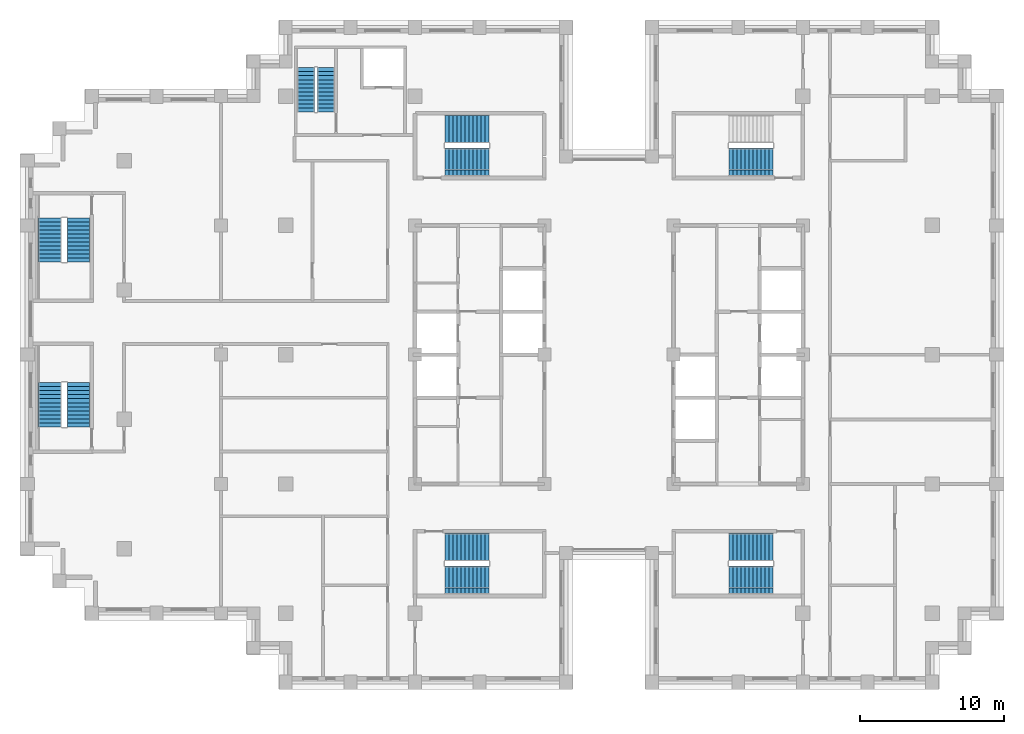
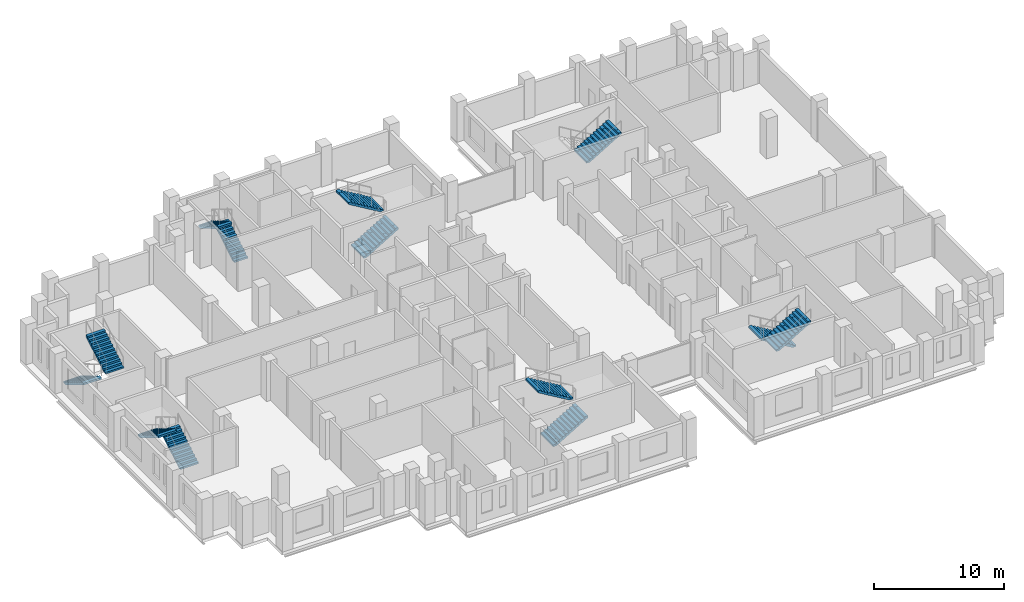
# One storey, part 12 of 15: 13 stair flights, 7 elements without a shape of their own.
"""IFC4 building model written with IfcOpenShell, lengths in metres."""

from ifc_helpers import new_model, si_unit, direction, frame, origin, place, context, subcontext, project, spatial, polyline, outline, extrude, material, type_object, element, aggregate, save


model = new_model("IFC4")

# Units and contexts
model_context = context("Model", 3, precision=1e-05, world=origin(), true_north=direction((0.0, 1.0)))
body_context = subcontext(model_context, "Body", "Model", "MODEL_VIEW")
ifc_project = project(units=[si_unit("LENGTHUNIT", "METRE"), si_unit("AREAUNIT", "SQUARE_METRE"), si_unit("VOLUMEUNIT", "CUBIC_METRE"), si_unit("PLANEANGLEUNIT", "RADIAN"), si_unit("MASSUNIT", "GRAM", prefix="KILO")], contexts=[model_context])

# Site, building, storey
site_placement = place(None, origin())
site = spatial("IfcSite", under=ifc_project, at=site_placement, CompositionType="ELEMENT")
building_placement = place(site_placement, origin())
building = spatial("IfcBuilding", under=site, at=building_placement, Name="Corbelhall Arena Tower", CompositionType="ELEMENT")
storey_placement = place(building_placement, frame((0.0, 0.0, 208.0)))
storey = spatial("IfcBuildingStorey", under=building, at=storey_placement, Name="L43", CompositionType="ELEMENT", Elevation=208.0)

# Stair, stair flights
ifc_material = material(Name="Concrete C40/50", Category="concrete")
stair_type = type_object("IfcStairType", Name="IN-ST-TOWER", PredefinedType="HALF_TURN_STAIR", material=ifc_material)
stair_1_placement = place(storey_placement, origin())
stair_1 = element("IfcStair", 1, at=stair_1_placement, inside=storey, type_object=stair_type, Name="L43 Exit stair ST1", PredefinedType="HALF_TURN_STAIR")
stair_flight_type = type_object("IfcStairFlightType", Name="IN-SFL-RC", PredefinedType="STRAIGHT", material=ifc_material)
stair_flight_1_placement = place(storey_placement, frame((-11.425048828125, 13.39990234375, 0.0), z_axis=(0.0, 0.0, 1.0), x_axis=(1.0, 0.0, 0.0)))
stair_flight_1 = element("IfcStairFlight", 2, at=stair_flight_1_placement, type_object=stair_flight_type, Name="ST1 flight 1", NumberOfRisers=12, NumberOfTreads=11, PredefinedType="STRAIGHT", RiserHeight=0.166666667, TreadLength=0.28, context=body_context, shape_type="SweptSolid", body=[
    extrude(outline(polyline([(0.0, 0.0), (0.0, 0.166748046875), (0.280029296875, 0.166748046875), (0.280029296875, 0.333251953125), (0.56005859375, 0.333251953125), (0.56005859375, 0.5), (0.840087890625, 0.5), (0.840087890625, 0.666748046875), (1.1201171875, 0.666748046875), (1.1201171875, 0.833251953125), (1.39990234375, 0.833251953125), (1.39990234375, 1.0), (1.679931640625, 1.0), (1.679931640625, 1.166748046875), (1.9599609375, 1.166748046875), (1.9599609375, 1.333251953125), (2.239990234375, 1.333251953125), (2.239990234375, 1.5), (2.52001953125, 1.5), (2.52001953125, 1.666748046875), (2.800048828125, 1.666748046875), (2.800048828125, 1.833251953125), (3.080078125, 1.833251953125), (3.080078125, 2.0), (3.080078125, 1.658935546875), (0.29296875, 0.0), (0.0, 0.0)])), frame((0.0, 0.97509765625, 0.0), z_axis=(0.0, -1.0, 0.0), x_axis=(1.0, 0.0, 0.0)), (0.0, 0.0, 1.0), 0.449951171875),
    extrude(outline(polyline([(0.0, 0.0), (0.0, 0.166748046875), (0.280029296875, 0.166748046875), (0.280029296875, 0.333251953125), (0.56005859375, 0.333251953125), (0.56005859375, 0.5), (0.840087890625, 0.5), (0.840087890625, 0.666748046875), (1.1201171875, 0.666748046875), (1.1201171875, 0.833251953125), (1.39990234375, 0.833251953125), (1.39990234375, 1.0), (1.679931640625, 1.0), (1.679931640625, 1.166748046875), (1.9599609375, 1.166748046875), (1.9599609375, 1.333251953125), (2.239990234375, 1.333251953125), (2.239990234375, 1.5), (2.52001953125, 1.5), (2.52001953125, 1.666748046875), (2.800048828125, 1.666748046875), (2.800048828125, 1.833251953125), (3.080078125, 1.833251953125), (3.080078125, 2.0), (3.080078125, 1.658935546875), (0.29296875, 0.0), (0.0, 0.0)])), frame((0.0, 0.52099609375, 0.0), z_axis=(0.0, -1.0, 0.0), x_axis=(1.0, 0.0, 0.0)), (0.0, 0.0, 1.0), 1.0419921875),
    extrude(outline(polyline([(0.0, 0.0), (0.0, 0.166748046875), (0.280029296875, 0.166748046875), (0.280029296875, 0.333251953125), (0.56005859375, 0.333251953125), (0.56005859375, 0.5), (0.840087890625, 0.5), (0.840087890625, 0.666748046875), (1.1201171875, 0.666748046875), (1.1201171875, 0.833251953125), (1.39990234375, 0.833251953125), (1.39990234375, 1.0), (1.679931640625, 1.0), (1.679931640625, 1.166748046875), (1.9599609375, 1.166748046875), (1.9599609375, 1.333251953125), (2.239990234375, 1.333251953125), (2.239990234375, 1.5), (2.52001953125, 1.5), (2.52001953125, 1.666748046875), (2.800048828125, 1.666748046875), (2.800048828125, 1.833251953125), (3.080078125, 1.833251953125), (3.080078125, 2.0), (3.080078125, 1.658935546875), (0.29296875, 0.0), (0.0, 0.0)])), frame((0.0, -0.52490234375, 0.0), z_axis=(0.0, -1.0, 0.0), x_axis=(1.0, 0.0, 0.0)), (0.0, 0.0, 1.0), 0.449951171875),
])
stair_flight_2_placement = place(storey_placement, frame((-8.344970703125, 15.699951171875, 2.0), z_axis=(0.0, 0.0, 1.0), x_axis=(-1.0, 0.0, 0.0)))
stair_flight_2 = element("IfcStairFlight", 3, at=stair_flight_2_placement, type_object=stair_flight_type, Name="ST1 flight 2", NumberOfRisers=12, NumberOfTreads=11, PredefinedType="STRAIGHT", RiserHeight=0.166666667, TreadLength=0.28, context=body_context, shape_type="SweptSolid", body=[
    extrude(outline(polyline([(0.0, 0.0), (0.0, 0.166748046875), (0.280029296875, 0.166748046875), (0.280029296875, 0.333251953125), (0.56005859375, 0.333251953125), (0.56005859375, 0.5), (0.840087890625, 0.5), (0.840087890625, 0.666748046875), (1.1201171875, 0.666748046875), (1.1201171875, 0.833251953125), (1.39990234375, 0.833251953125), (1.39990234375, 1.0), (1.679931640625, 1.0), (1.679931640625, 1.166748046875), (1.9599609375, 1.166748046875), (1.9599609375, 1.333251953125), (2.239990234375, 1.333251953125), (2.239990234375, 1.5), (2.52001953125, 1.5), (2.52001953125, 1.666748046875), (2.800048828125, 1.666748046875), (2.800048828125, 1.833251953125), (3.080078125, 1.833251953125), (3.080078125, 2.0), (3.080078125, 1.658935546875), (0.29296875, 0.0), (0.0, 0.0)])), frame((0.0, 0.97509765625, 0.0), z_axis=(0.0, -1.0, 0.0), x_axis=(1.0, 0.0, 0.0)), (0.0, 0.0, 1.0), 0.449951171875),
    extrude(outline(polyline([(0.0, 0.0), (0.0, 0.166748046875), (0.280029296875, 0.166748046875), (0.280029296875, 0.333251953125), (0.56005859375, 0.333251953125), (0.56005859375, 0.5), (0.840087890625, 0.5), (0.840087890625, 0.666748046875), (1.1201171875, 0.666748046875), (1.1201171875, 0.833251953125), (1.39990234375, 0.833251953125), (1.39990234375, 1.0), (1.679931640625, 1.0), (1.679931640625, 1.166748046875), (1.9599609375, 1.166748046875), (1.9599609375, 1.333251953125), (2.239990234375, 1.333251953125), (2.239990234375, 1.5), (2.52001953125, 1.5), (2.52001953125, 1.666748046875), (2.800048828125, 1.666748046875), (2.800048828125, 1.833251953125), (3.080078125, 1.833251953125), (3.080078125, 2.0), (3.080078125, 1.658935546875), (0.29296875, 0.0), (0.0, 0.0)])), frame((0.0, 0.52099609375, 0.0), z_axis=(0.0, -1.0, 0.0), x_axis=(1.0, 0.0, 0.0)), (0.0, 0.0, 1.0), 1.0419921875),
    extrude(outline(polyline([(0.0, 0.0), (0.0, 0.166748046875), (0.280029296875, 0.166748046875), (0.280029296875, 0.333251953125), (0.56005859375, 0.333251953125), (0.56005859375, 0.5), (0.840087890625, 0.5), (0.840087890625, 0.666748046875), (1.1201171875, 0.666748046875), (1.1201171875, 0.833251953125), (1.39990234375, 0.833251953125), (1.39990234375, 1.0), (1.679931640625, 1.0), (1.679931640625, 1.166748046875), (1.9599609375, 1.166748046875), (1.9599609375, 1.333251953125), (2.239990234375, 1.333251953125), (2.239990234375, 1.5), (2.52001953125, 1.5), (2.52001953125, 1.666748046875), (2.800048828125, 1.666748046875), (2.800048828125, 1.833251953125), (3.080078125, 1.833251953125), (3.080078125, 2.0), (3.080078125, 1.658935546875), (0.29296875, 0.0), (0.0, 0.0)])), frame((0.0, -0.52490234375, 0.0), z_axis=(0.0, -1.0, 0.0), x_axis=(1.0, 0.0, 0.0)), (0.0, 0.0, 1.0), 0.449951171875),
])
aggregate(stair_1, [stair_flight_1, stair_flight_2])

stair_2_placement = place(storey_placement, origin())
stair_2 = element("IfcStair", 4, at=stair_2_placement, inside=storey, type_object=stair_type, Name="L43 Exit stair ST2", PredefinedType="HALF_TURN_STAIR")
stair_flight_3_placement = place(storey_placement, frame((-11.425048828125, -15.699951171875, 0.0), z_axis=(0.0, 0.0, 1.0), x_axis=(1.0, 0.0, 0.0)))
stair_flight_3 = element("IfcStairFlight", 5, at=stair_flight_3_placement, type_object=stair_flight_type, Name="ST2 flight 1", NumberOfRisers=12, NumberOfTreads=11, PredefinedType="STRAIGHT", RiserHeight=0.166666667, TreadLength=0.28, context=body_context, shape_type="SweptSolid", body=[
    extrude(outline(polyline([(0.0, 0.0), (0.0, 0.166748046875), (0.280029296875, 0.166748046875), (0.280029296875, 0.333251953125), (0.56005859375, 0.333251953125), (0.56005859375, 0.5), (0.840087890625, 0.5), (0.840087890625, 0.666748046875), (1.1201171875, 0.666748046875), (1.1201171875, 0.833251953125), (1.39990234375, 0.833251953125), (1.39990234375, 1.0), (1.679931640625, 1.0), (1.679931640625, 1.166748046875), (1.9599609375, 1.166748046875), (1.9599609375, 1.333251953125), (2.239990234375, 1.333251953125), (2.239990234375, 1.5), (2.52001953125, 1.5), (2.52001953125, 1.666748046875), (2.800048828125, 1.666748046875), (2.800048828125, 1.833251953125), (3.080078125, 1.833251953125), (3.080078125, 2.0), (3.080078125, 1.658935546875), (0.29296875, 0.0), (0.0, 0.0)])), frame((0.0, 0.97509765625, 0.0), z_axis=(0.0, -1.0, 0.0), x_axis=(1.0, 0.0, 0.0)), (0.0, 0.0, 1.0), 0.449951171875),
    extrude(outline(polyline([(0.0, 0.0), (0.0, 0.166748046875), (0.280029296875, 0.166748046875), (0.280029296875, 0.333251953125), (0.56005859375, 0.333251953125), (0.56005859375, 0.5), (0.840087890625, 0.5), (0.840087890625, 0.666748046875), (1.1201171875, 0.666748046875), (1.1201171875, 0.833251953125), (1.39990234375, 0.833251953125), (1.39990234375, 1.0), (1.679931640625, 1.0), (1.679931640625, 1.166748046875), (1.9599609375, 1.166748046875), (1.9599609375, 1.333251953125), (2.239990234375, 1.333251953125), (2.239990234375, 1.5), (2.52001953125, 1.5), (2.52001953125, 1.666748046875), (2.800048828125, 1.666748046875), (2.800048828125, 1.833251953125), (3.080078125, 1.833251953125), (3.080078125, 2.0), (3.080078125, 1.658935546875), (0.29296875, 0.0), (0.0, 0.0)])), frame((0.0, 0.52099609375, 0.0), z_axis=(0.0, -1.0, 0.0), x_axis=(1.0, 0.0, 0.0)), (0.0, 0.0, 1.0), 1.0419921875),
    extrude(outline(polyline([(0.0, 0.0), (0.0, 0.166748046875), (0.280029296875, 0.166748046875), (0.280029296875, 0.333251953125), (0.56005859375, 0.333251953125), (0.56005859375, 0.5), (0.840087890625, 0.5), (0.840087890625, 0.666748046875), (1.1201171875, 0.666748046875), (1.1201171875, 0.833251953125), (1.39990234375, 0.833251953125), (1.39990234375, 1.0), (1.679931640625, 1.0), (1.679931640625, 1.166748046875), (1.9599609375, 1.166748046875), (1.9599609375, 1.333251953125), (2.239990234375, 1.333251953125), (2.239990234375, 1.5), (2.52001953125, 1.5), (2.52001953125, 1.666748046875), (2.800048828125, 1.666748046875), (2.800048828125, 1.833251953125), (3.080078125, 1.833251953125), (3.080078125, 2.0), (3.080078125, 1.658935546875), (0.29296875, 0.0), (0.0, 0.0)])), frame((0.0, -0.52490234375, 0.0), z_axis=(0.0, -1.0, 0.0), x_axis=(1.0, 0.0, 0.0)), (0.0, 0.0, 1.0), 0.449951171875),
])
stair_flight_4_placement = place(storey_placement, frame((-8.344970703125, -13.39990234375, 2.0), z_axis=(0.0, 0.0, 1.0), x_axis=(-1.0, 0.0, 0.0)))
stair_flight_4 = element("IfcStairFlight", 6, at=stair_flight_4_placement, type_object=stair_flight_type, Name="ST2 flight 2", NumberOfRisers=12, NumberOfTreads=11, PredefinedType="STRAIGHT", RiserHeight=0.166666667, TreadLength=0.28, context=body_context, shape_type="SweptSolid", body=[
    extrude(outline(polyline([(0.0, 0.0), (0.0, 0.166748046875), (0.280029296875, 0.166748046875), (0.280029296875, 0.333251953125), (0.56005859375, 0.333251953125), (0.56005859375, 0.5), (0.840087890625, 0.5), (0.840087890625, 0.666748046875), (1.1201171875, 0.666748046875), (1.1201171875, 0.833251953125), (1.39990234375, 0.833251953125), (1.39990234375, 1.0), (1.679931640625, 1.0), (1.679931640625, 1.166748046875), (1.9599609375, 1.166748046875), (1.9599609375, 1.333251953125), (2.239990234375, 1.333251953125), (2.239990234375, 1.5), (2.52001953125, 1.5), (2.52001953125, 1.666748046875), (2.800048828125, 1.666748046875), (2.800048828125, 1.833251953125), (3.080078125, 1.833251953125), (3.080078125, 2.0), (3.080078125, 1.658935546875), (0.29296875, 0.0), (0.0, 0.0)])), frame((0.0, 0.97509765625, 0.0), z_axis=(0.0, -1.0, 0.0), x_axis=(1.0, 0.0, 0.0)), (0.0, 0.0, 1.0), 0.449951171875),
    extrude(outline(polyline([(0.0, 0.0), (0.0, 0.166748046875), (0.280029296875, 0.166748046875), (0.280029296875, 0.333251953125), (0.56005859375, 0.333251953125), (0.56005859375, 0.5), (0.840087890625, 0.5), (0.840087890625, 0.666748046875), (1.1201171875, 0.666748046875), (1.1201171875, 0.833251953125), (1.39990234375, 0.833251953125), (1.39990234375, 1.0), (1.679931640625, 1.0), (1.679931640625, 1.166748046875), (1.9599609375, 1.166748046875), (1.9599609375, 1.333251953125), (2.239990234375, 1.333251953125), (2.239990234375, 1.5), (2.52001953125, 1.5), (2.52001953125, 1.666748046875), (2.800048828125, 1.666748046875), (2.800048828125, 1.833251953125), (3.080078125, 1.833251953125), (3.080078125, 2.0), (3.080078125, 1.658935546875), (0.29296875, 0.0), (0.0, 0.0)])), frame((0.0, 0.52099609375, 0.0), z_axis=(0.0, -1.0, 0.0), x_axis=(1.0, 0.0, 0.0)), (0.0, 0.0, 1.0), 1.0419921875),
    extrude(outline(polyline([(0.0, 0.0), (0.0, 0.166748046875), (0.280029296875, 0.166748046875), (0.280029296875, 0.333251953125), (0.56005859375, 0.333251953125), (0.56005859375, 0.5), (0.840087890625, 0.5), (0.840087890625, 0.666748046875), (1.1201171875, 0.666748046875), (1.1201171875, 0.833251953125), (1.39990234375, 0.833251953125), (1.39990234375, 1.0), (1.679931640625, 1.0), (1.679931640625, 1.166748046875), (1.9599609375, 1.166748046875), (1.9599609375, 1.333251953125), (2.239990234375, 1.333251953125), (2.239990234375, 1.5), (2.52001953125, 1.5), (2.52001953125, 1.666748046875), (2.800048828125, 1.666748046875), (2.800048828125, 1.833251953125), (3.080078125, 1.833251953125), (3.080078125, 2.0), (3.080078125, 1.658935546875), (0.29296875, 0.0), (0.0, 0.0)])), frame((0.0, -0.52490234375, 0.0), z_axis=(0.0, -1.0, 0.0), x_axis=(1.0, 0.0, 0.0)), (0.0, 0.0, 1.0), 0.449951171875),
])
aggregate(stair_2, [stair_flight_3, stair_flight_4])

# Stair, stair flight
stair_3_placement = place(storey_placement, origin())
stair_3 = element("IfcStair", 7, at=stair_3_placement, inside=storey, type_object=stair_type, Name="L43 Exit stair ST3", PredefinedType="HALF_TURN_STAIR")
stair_flight_5_placement = place(storey_placement, frame((8.344970703125, 13.39990234375, 2.0), z_axis=(0.0, 0.0, 1.0), x_axis=(1.0, 0.0, 0.0)))
stair_flight_5 = element("IfcStairFlight", 8, at=stair_flight_5_placement, type_object=stair_flight_type, Name="ST3 flight 2", NumberOfRisers=12, NumberOfTreads=11, PredefinedType="STRAIGHT", RiserHeight=0.166666667, TreadLength=0.28, context=body_context, shape_type="SweptSolid", body=[
    extrude(outline(polyline([(0.0, 0.0), (0.0, 0.166748046875), (0.280029296875, 0.166748046875), (0.280029296875, 0.333251953125), (0.56005859375, 0.333251953125), (0.56005859375, 0.5), (0.840087890625, 0.5), (0.840087890625, 0.666748046875), (1.1201171875, 0.666748046875), (1.1201171875, 0.833251953125), (1.39990234375, 0.833251953125), (1.39990234375, 1.0), (1.679931640625, 1.0), (1.679931640625, 1.166748046875), (1.9599609375, 1.166748046875), (1.9599609375, 1.333251953125), (2.239990234375, 1.333251953125), (2.239990234375, 1.5), (2.52001953125, 1.5), (2.52001953125, 1.666748046875), (2.800048828125, 1.666748046875), (2.800048828125, 1.833251953125), (3.080078125, 1.833251953125), (3.080078125, 2.0), (3.080078125, 1.658935546875), (0.29296875, 0.0), (0.0, 0.0)])), frame((0.0, 0.97509765625, 0.0), z_axis=(0.0, -1.0, 0.0), x_axis=(1.0, 0.0, 0.0)), (0.0, 0.0, 1.0), 0.449951171875),
    extrude(outline(polyline([(0.0, 0.0), (0.0, 0.166748046875), (0.280029296875, 0.166748046875), (0.280029296875, 0.333251953125), (0.56005859375, 0.333251953125), (0.56005859375, 0.5), (0.840087890625, 0.5), (0.840087890625, 0.666748046875), (1.1201171875, 0.666748046875), (1.1201171875, 0.833251953125), (1.39990234375, 0.833251953125), (1.39990234375, 1.0), (1.679931640625, 1.0), (1.679931640625, 1.166748046875), (1.9599609375, 1.166748046875), (1.9599609375, 1.333251953125), (2.239990234375, 1.333251953125), (2.239990234375, 1.5), (2.52001953125, 1.5), (2.52001953125, 1.666748046875), (2.800048828125, 1.666748046875), (2.800048828125, 1.833251953125), (3.080078125, 1.833251953125), (3.080078125, 2.0), (3.080078125, 1.658935546875), (0.29296875, 0.0), (0.0, 0.0)])), frame((0.0, 0.52099609375, 0.0), z_axis=(0.0, -1.0, 0.0), x_axis=(1.0, 0.0, 0.0)), (0.0, 0.0, 1.0), 1.0419921875),
    extrude(outline(polyline([(0.0, 0.0), (0.0, 0.166748046875), (0.280029296875, 0.166748046875), (0.280029296875, 0.333251953125), (0.56005859375, 0.333251953125), (0.56005859375, 0.5), (0.840087890625, 0.5), (0.840087890625, 0.666748046875), (1.1201171875, 0.666748046875), (1.1201171875, 0.833251953125), (1.39990234375, 0.833251953125), (1.39990234375, 1.0), (1.679931640625, 1.0), (1.679931640625, 1.166748046875), (1.9599609375, 1.166748046875), (1.9599609375, 1.333251953125), (2.239990234375, 1.333251953125), (2.239990234375, 1.5), (2.52001953125, 1.5), (2.52001953125, 1.666748046875), (2.800048828125, 1.666748046875), (2.800048828125, 1.833251953125), (3.080078125, 1.833251953125), (3.080078125, 2.0), (3.080078125, 1.658935546875), (0.29296875, 0.0), (0.0, 0.0)])), frame((0.0, -0.52490234375, 0.0), z_axis=(0.0, -1.0, 0.0), x_axis=(1.0, 0.0, 0.0)), (0.0, 0.0, 1.0), 0.449951171875),
])
aggregate(stair_3, [stair_flight_5])

# Stair, stair flights
stair_4_placement = place(storey_placement, origin())
stair_4 = element("IfcStair", 9, at=stair_4_placement, inside=storey, type_object=stair_type, Name="L43 Exit stair ST4", PredefinedType="HALF_TURN_STAIR")
stair_flight_6_placement = place(storey_placement, frame((11.425048828125, -13.39990234375, 0.0), z_axis=(0.0, 0.0, 1.0), x_axis=(-1.0, 0.0, 0.0)))
stair_flight_6 = element("IfcStairFlight", 10, at=stair_flight_6_placement, type_object=stair_flight_type, Name="ST4 flight 1", NumberOfRisers=12, NumberOfTreads=11, PredefinedType="STRAIGHT", RiserHeight=0.166666667, TreadLength=0.28, context=body_context, shape_type="SweptSolid", body=[
    extrude(outline(polyline([(0.0, 0.0), (0.0, 0.166748046875), (0.280029296875, 0.166748046875), (0.280029296875, 0.333251953125), (0.56005859375, 0.333251953125), (0.56005859375, 0.5), (0.840087890625, 0.5), (0.840087890625, 0.666748046875), (1.1201171875, 0.666748046875), (1.1201171875, 0.833251953125), (1.39990234375, 0.833251953125), (1.39990234375, 1.0), (1.679931640625, 1.0), (1.679931640625, 1.166748046875), (1.9599609375, 1.166748046875), (1.9599609375, 1.333251953125), (2.239990234375, 1.333251953125), (2.239990234375, 1.5), (2.52001953125, 1.5), (2.52001953125, 1.666748046875), (2.800048828125, 1.666748046875), (2.800048828125, 1.833251953125), (3.080078125, 1.833251953125), (3.080078125, 2.0), (3.080078125, 1.658935546875), (0.29296875, 0.0), (0.0, 0.0)])), frame((0.0, 0.97509765625, 0.0), z_axis=(0.0, -1.0, 0.0), x_axis=(1.0, 0.0, 0.0)), (0.0, 0.0, 1.0), 0.449951171875),
    extrude(outline(polyline([(0.0, 0.0), (0.0, 0.166748046875), (0.280029296875, 0.166748046875), (0.280029296875, 0.333251953125), (0.56005859375, 0.333251953125), (0.56005859375, 0.5), (0.840087890625, 0.5), (0.840087890625, 0.666748046875), (1.1201171875, 0.666748046875), (1.1201171875, 0.833251953125), (1.39990234375, 0.833251953125), (1.39990234375, 1.0), (1.679931640625, 1.0), (1.679931640625, 1.166748046875), (1.9599609375, 1.166748046875), (1.9599609375, 1.333251953125), (2.239990234375, 1.333251953125), (2.239990234375, 1.5), (2.52001953125, 1.5), (2.52001953125, 1.666748046875), (2.800048828125, 1.666748046875), (2.800048828125, 1.833251953125), (3.080078125, 1.833251953125), (3.080078125, 2.0), (3.080078125, 1.658935546875), (0.29296875, 0.0), (0.0, 0.0)])), frame((0.0, 0.52099609375, 0.0), z_axis=(0.0, -1.0, 0.0), x_axis=(1.0, 0.0, 0.0)), (0.0, 0.0, 1.0), 1.0419921875),
    extrude(outline(polyline([(0.0, 0.0), (0.0, 0.166748046875), (0.280029296875, 0.166748046875), (0.280029296875, 0.333251953125), (0.56005859375, 0.333251953125), (0.56005859375, 0.5), (0.840087890625, 0.5), (0.840087890625, 0.666748046875), (1.1201171875, 0.666748046875), (1.1201171875, 0.833251953125), (1.39990234375, 0.833251953125), (1.39990234375, 1.0), (1.679931640625, 1.0), (1.679931640625, 1.166748046875), (1.9599609375, 1.166748046875), (1.9599609375, 1.333251953125), (2.239990234375, 1.333251953125), (2.239990234375, 1.5), (2.52001953125, 1.5), (2.52001953125, 1.666748046875), (2.800048828125, 1.666748046875), (2.800048828125, 1.833251953125), (3.080078125, 1.833251953125), (3.080078125, 2.0), (3.080078125, 1.658935546875), (0.29296875, 0.0), (0.0, 0.0)])), frame((0.0, -0.52490234375, 0.0), z_axis=(0.0, -1.0, 0.0), x_axis=(1.0, 0.0, 0.0)), (0.0, 0.0, 1.0), 0.449951171875),
])
stair_flight_7_placement = place(storey_placement, frame((8.344970703125, -15.699951171875, 2.0), z_axis=(0.0, 0.0, 1.0), x_axis=(1.0, 0.0, 0.0)))
stair_flight_7 = element("IfcStairFlight", 11, at=stair_flight_7_placement, type_object=stair_flight_type, Name="ST4 flight 2", NumberOfRisers=12, NumberOfTreads=11, PredefinedType="STRAIGHT", RiserHeight=0.166666667, TreadLength=0.28, context=body_context, shape_type="SweptSolid", body=[
    extrude(outline(polyline([(0.0, 0.0), (0.0, 0.166748046875), (0.280029296875, 0.166748046875), (0.280029296875, 0.333251953125), (0.56005859375, 0.333251953125), (0.56005859375, 0.5), (0.840087890625, 0.5), (0.840087890625, 0.666748046875), (1.1201171875, 0.666748046875), (1.1201171875, 0.833251953125), (1.39990234375, 0.833251953125), (1.39990234375, 1.0), (1.679931640625, 1.0), (1.679931640625, 1.166748046875), (1.9599609375, 1.166748046875), (1.9599609375, 1.333251953125), (2.239990234375, 1.333251953125), (2.239990234375, 1.5), (2.52001953125, 1.5), (2.52001953125, 1.666748046875), (2.800048828125, 1.666748046875), (2.800048828125, 1.833251953125), (3.080078125, 1.833251953125), (3.080078125, 2.0), (3.080078125, 1.658935546875), (0.29296875, 0.0), (0.0, 0.0)])), frame((0.0, 0.97509765625, 0.0), z_axis=(0.0, -1.0, 0.0), x_axis=(1.0, 0.0, 0.0)), (0.0, 0.0, 1.0), 0.449951171875),
    extrude(outline(polyline([(0.0, 0.0), (0.0, 0.166748046875), (0.280029296875, 0.166748046875), (0.280029296875, 0.333251953125), (0.56005859375, 0.333251953125), (0.56005859375, 0.5), (0.840087890625, 0.5), (0.840087890625, 0.666748046875), (1.1201171875, 0.666748046875), (1.1201171875, 0.833251953125), (1.39990234375, 0.833251953125), (1.39990234375, 1.0), (1.679931640625, 1.0), (1.679931640625, 1.166748046875), (1.9599609375, 1.166748046875), (1.9599609375, 1.333251953125), (2.239990234375, 1.333251953125), (2.239990234375, 1.5), (2.52001953125, 1.5), (2.52001953125, 1.666748046875), (2.800048828125, 1.666748046875), (2.800048828125, 1.833251953125), (3.080078125, 1.833251953125), (3.080078125, 2.0), (3.080078125, 1.658935546875), (0.29296875, 0.0), (0.0, 0.0)])), frame((0.0, 0.52099609375, 0.0), z_axis=(0.0, -1.0, 0.0), x_axis=(1.0, 0.0, 0.0)), (0.0, 0.0, 1.0), 1.0419921875),
    extrude(outline(polyline([(0.0, 0.0), (0.0, 0.166748046875), (0.280029296875, 0.166748046875), (0.280029296875, 0.333251953125), (0.56005859375, 0.333251953125), (0.56005859375, 0.5), (0.840087890625, 0.5), (0.840087890625, 0.666748046875), (1.1201171875, 0.666748046875), (1.1201171875, 0.833251953125), (1.39990234375, 0.833251953125), (1.39990234375, 1.0), (1.679931640625, 1.0), (1.679931640625, 1.166748046875), (1.9599609375, 1.166748046875), (1.9599609375, 1.333251953125), (2.239990234375, 1.333251953125), (2.239990234375, 1.5), (2.52001953125, 1.5), (2.52001953125, 1.666748046875), (2.800048828125, 1.666748046875), (2.800048828125, 1.833251953125), (3.080078125, 1.833251953125), (3.080078125, 2.0), (3.080078125, 1.658935546875), (0.29296875, 0.0), (0.0, 0.0)])), frame((0.0, -0.52490234375, 0.0), z_axis=(0.0, -1.0, 0.0), x_axis=(1.0, 0.0, 0.0)), (0.0, 0.0, 1.0), 0.449951171875),
])
aggregate(stair_4, [stair_flight_6, stair_flight_7])

stair_5_placement = place(storey_placement, origin())
stair_5 = element("IfcStair", 12, at=stair_5_placement, inside=storey, type_object=stair_type, Name="L43 Exit stair SC1", PredefinedType="HALF_TURN_STAIR")
stair_flight_8_placement = place(storey_placement, frame((-38.89990234375, 9.52490234375, 0.0), z_axis=(0.0, 0.0, 1.0), x_axis=(0.0, -1.0, 0.0)))
stair_flight_8 = element("IfcStairFlight", 13, at=stair_flight_8_placement, type_object=stair_flight_type, Name="SC1 flight 1", NumberOfRisers=12, NumberOfTreads=11, PredefinedType="STRAIGHT", RiserHeight=0.166666667, TreadLength=0.28, context=body_context, shape_type="SweptSolid", body=[
    extrude(outline(polyline([(0.0, 0.0), (0.0, 0.166748046875), (0.280029296875, 0.166748046875), (0.280029296875, 0.333251953125), (0.56005859375, 0.333251953125), (0.56005859375, 0.5), (0.840087890625, 0.5), (0.840087890625, 0.666748046875), (1.1201171875, 0.666748046875), (1.1201171875, 0.833251953125), (1.39990234375, 0.833251953125), (1.39990234375, 1.0), (1.679931640625, 1.0), (1.679931640625, 1.166748046875), (1.9599609375, 1.166748046875), (1.9599609375, 1.333251953125), (2.239990234375, 1.333251953125), (2.239990234375, 1.5), (2.52001953125, 1.5), (2.52001953125, 1.666748046875), (2.800048828125, 1.666748046875), (2.800048828125, 1.833251953125), (3.080078125, 1.833251953125), (3.080078125, 2.0), (3.080078125, 1.658935546875), (0.29296875, 0.0), (0.0, 0.0)])), frame((0.0, 0.800048828125, 0.0), z_axis=(0.0, -1.0, 0.0), x_axis=(1.0, 0.0, 0.0)), (0.0, 0.0, 1.0), 1.60009765625),
])
stair_flight_9_placement = place(storey_placement, frame((-36.925048828125, 6.445068359375, 2.0), z_axis=(0.0, 0.0, 1.0), x_axis=(0.0, 1.0, 0.0)))
stair_flight_9 = element("IfcStairFlight", 14, at=stair_flight_9_placement, type_object=stair_flight_type, Name="SC1 flight 2", NumberOfRisers=12, NumberOfTreads=11, PredefinedType="STRAIGHT", RiserHeight=0.166666667, TreadLength=0.28, context=body_context, shape_type="SweptSolid", body=[
    extrude(outline(polyline([(0.0, 0.0), (0.0, 0.166748046875), (0.280029296875, 0.166748046875), (0.280029296875, 0.333251953125), (0.56005859375, 0.333251953125), (0.56005859375, 0.5), (0.840087890625, 0.5), (0.840087890625, 0.666748046875), (1.1201171875, 0.666748046875), (1.1201171875, 0.833251953125), (1.39990234375, 0.833251953125), (1.39990234375, 1.0), (1.679931640625, 1.0), (1.679931640625, 1.166748046875), (1.9599609375, 1.166748046875), (1.9599609375, 1.333251953125), (2.239990234375, 1.333251953125), (2.239990234375, 1.5), (2.52001953125, 1.5), (2.52001953125, 1.666748046875), (2.800048828125, 1.666748046875), (2.800048828125, 1.833251953125), (3.080078125, 1.833251953125), (3.080078125, 2.0), (3.080078125, 1.658935546875), (0.29296875, 0.0), (0.0, 0.0)])), frame((0.0, 0.800048828125, 0.0), z_axis=(0.0, -1.0, 0.0), x_axis=(1.0, 0.0, 0.0)), (0.0, 0.0, 1.0), 1.60009765625),
])
aggregate(stair_5, [stair_flight_8, stair_flight_9])

stair_6_placement = place(storey_placement, origin())
stair_6 = element("IfcStair", 15, at=stair_6_placement, inside=storey, type_object=stair_type, Name="L43 Exit stair SC2", PredefinedType="HALF_TURN_STAIR")
stair_flight_10_placement = place(storey_placement, frame((-36.925048828125, -5.02490234375, 0.0), z_axis=(0.0, 0.0, 1.0), x_axis=(0.0, 1.0, 0.0)))
stair_flight_10 = element("IfcStairFlight", 16, at=stair_flight_10_placement, type_object=stair_flight_type, Name="SC2 flight 1", NumberOfRisers=12, NumberOfTreads=11, PredefinedType="STRAIGHT", RiserHeight=0.166666667, TreadLength=0.28, context=body_context, shape_type="SweptSolid", body=[
    extrude(outline(polyline([(0.0, 0.0), (0.0, 0.166748046875), (0.280029296875, 0.166748046875), (0.280029296875, 0.333251953125), (0.56005859375, 0.333251953125), (0.56005859375, 0.5), (0.840087890625, 0.5), (0.840087890625, 0.666748046875), (1.1201171875, 0.666748046875), (1.1201171875, 0.833251953125), (1.39990234375, 0.833251953125), (1.39990234375, 1.0), (1.679931640625, 1.0), (1.679931640625, 1.166748046875), (1.9599609375, 1.166748046875), (1.9599609375, 1.333251953125), (2.239990234375, 1.333251953125), (2.239990234375, 1.5), (2.52001953125, 1.5), (2.52001953125, 1.666748046875), (2.800048828125, 1.666748046875), (2.800048828125, 1.833251953125), (3.080078125, 1.833251953125), (3.080078125, 2.0), (3.080078125, 1.658935546875), (0.29296875, 0.0), (0.0, 0.0)])), frame((0.0, 0.800048828125, 0.0), z_axis=(0.0, -1.0, 0.0), x_axis=(1.0, 0.0, 0.0)), (0.0, 0.0, 1.0), 1.60009765625),
])
stair_flight_11_placement = place(storey_placement, frame((-38.89990234375, -1.945068359375, 2.0), z_axis=(0.0, 0.0, 1.0), x_axis=(0.0, -1.0, 0.0)))
stair_flight_11 = element("IfcStairFlight", 17, at=stair_flight_11_placement, type_object=stair_flight_type, Name="SC2 flight 2", NumberOfRisers=12, NumberOfTreads=11, PredefinedType="STRAIGHT", RiserHeight=0.166666667, TreadLength=0.28, context=body_context, shape_type="SweptSolid", body=[
    extrude(outline(polyline([(0.0, 0.0), (0.0, 0.166748046875), (0.280029296875, 0.166748046875), (0.280029296875, 0.333251953125), (0.56005859375, 0.333251953125), (0.56005859375, 0.5), (0.840087890625, 0.5), (0.840087890625, 0.666748046875), (1.1201171875, 0.666748046875), (1.1201171875, 0.833251953125), (1.39990234375, 0.833251953125), (1.39990234375, 1.0), (1.679931640625, 1.0), (1.679931640625, 1.166748046875), (1.9599609375, 1.166748046875), (1.9599609375, 1.333251953125), (2.239990234375, 1.333251953125), (2.239990234375, 1.5), (2.52001953125, 1.5), (2.52001953125, 1.666748046875), (2.800048828125, 1.666748046875), (2.800048828125, 1.833251953125), (3.080078125, 1.833251953125), (3.080078125, 2.0), (3.080078125, 1.658935546875), (0.29296875, 0.0), (0.0, 0.0)])), frame((0.0, 0.800048828125, 0.0), z_axis=(0.0, -1.0, 0.0), x_axis=(1.0, 0.0, 0.0)), (0.0, 0.0, 1.0), 1.60009765625),
])
aggregate(stair_6, [stair_flight_10, stair_flight_11])

stair_7_placement = place(storey_placement, origin())
stair_7 = element("IfcStair", 18, at=stair_7_placement, inside=storey, type_object=stair_type, Name="L43 Exit stair ST5", PredefinedType="HALF_TURN_STAIR")
stair_flight_12_placement = place(storey_placement, frame((-19.695068359375, 16.89990234375, 0.0), z_axis=(0.0, 0.0, 1.0), x_axis=(0.0, 1.0, 0.0)))
stair_flight_12 = element("IfcStairFlight", 19, at=stair_flight_12_placement, type_object=stair_flight_type, Name="ST5 flight 1", NumberOfRisers=12, NumberOfTreads=11, PredefinedType="STRAIGHT", RiserHeight=0.166666667, TreadLength=0.28, context=body_context, shape_type="SweptSolid", body=[
    extrude(outline(polyline([(0.0, 0.0), (0.0, 0.166748046875), (0.280029296875, 0.166748046875), (0.280029296875, 0.333251953125), (0.56005859375, 0.333251953125), (0.56005859375, 0.5), (0.840087890625, 0.5), (0.840087890625, 0.666748046875), (1.1201171875, 0.666748046875), (1.1201171875, 0.833251953125), (1.39990234375, 0.833251953125), (1.39990234375, 1.0), (1.679931640625, 1.0), (1.679931640625, 1.166748046875), (1.9599609375, 1.166748046875), (1.9599609375, 1.333251953125), (2.239990234375, 1.333251953125), (2.239990234375, 1.5), (2.52001953125, 1.5), (2.52001953125, 1.666748046875), (2.800048828125, 1.666748046875), (2.800048828125, 1.833251953125), (3.080078125, 1.833251953125), (3.080078125, 2.0), (3.080078125, 1.658935546875), (0.29296875, 0.0), (0.0, 0.0)])), frame((0.0, 0.60009765625, 0.0), z_axis=(0.0, -1.0, 0.0), x_axis=(1.0, 0.0, 0.0)), (0.0, 0.0, 1.0), 1.199951171875),
])
stair_flight_13_placement = place(storey_placement, frame((-21.094970703125, 19.97998046875, 2.0), z_axis=(0.0, 0.0, 1.0), x_axis=(0.0, -1.0, 0.0)))
stair_flight_13 = element("IfcStairFlight", 20, at=stair_flight_13_placement, type_object=stair_flight_type, Name="ST5 flight 2", NumberOfRisers=12, NumberOfTreads=11, PredefinedType="STRAIGHT", RiserHeight=0.166666667, TreadLength=0.28, context=body_context, shape_type="SweptSolid", body=[
    extrude(outline(polyline([(0.0, 0.0), (0.0, 0.166748046875), (0.280029296875, 0.166748046875), (0.280029296875, 0.333251953125), (0.56005859375, 0.333251953125), (0.56005859375, 0.5), (0.840087890625, 0.5), (0.840087890625, 0.666748046875), (1.1201171875, 0.666748046875), (1.1201171875, 0.833251953125), (1.39990234375, 0.833251953125), (1.39990234375, 1.0), (1.679931640625, 1.0), (1.679931640625, 1.166748046875), (1.9599609375, 1.166748046875), (1.9599609375, 1.333251953125), (2.239990234375, 1.333251953125), (2.239990234375, 1.5), (2.52001953125, 1.5), (2.52001953125, 1.666748046875), (2.800048828125, 1.666748046875), (2.800048828125, 1.833251953125), (3.080078125, 1.833251953125), (3.080078125, 2.0), (3.080078125, 1.658935546875), (0.29296875, 0.0), (0.0, 0.0)])), frame((0.0, 0.60009765625, 0.0), z_axis=(0.0, -1.0, 0.0), x_axis=(1.0, 0.0, 0.0)), (0.0, 0.0, 1.0), 1.199951171875),
])
aggregate(stair_7, [stair_flight_12, stair_flight_13])

save(model, "model.ifc")
